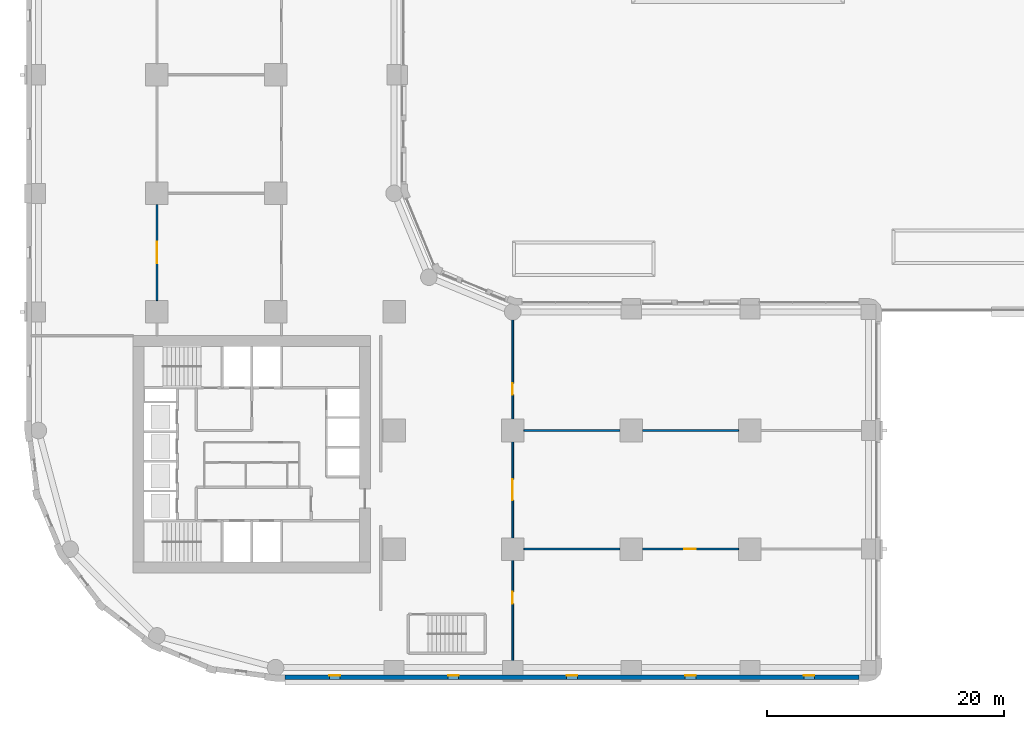
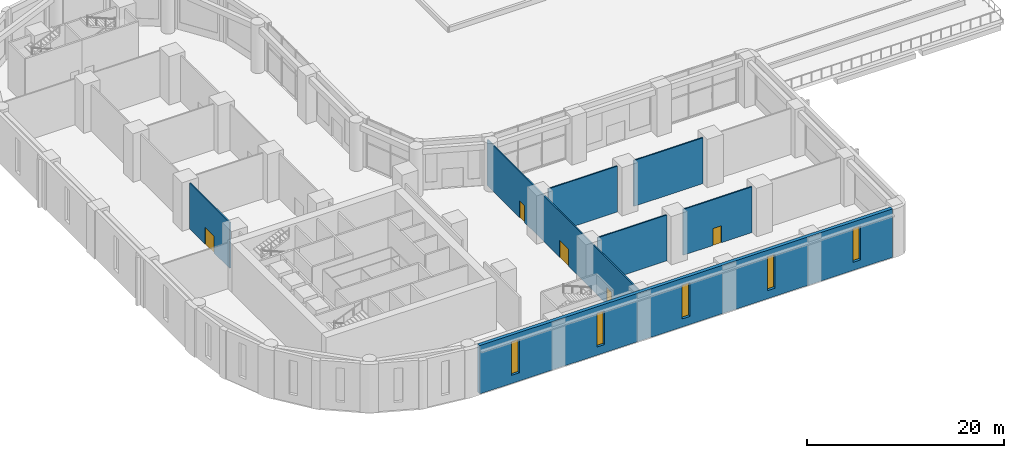
# One storey, part 15 of 28: 7 walls, 5 doors, 5 windows, 10 openings.
"""IFC4 building model written with IfcOpenShell, lengths in metres."""

import ifcopenshell
import ifcopenshell.guid

model = None  # the IFC model being written
_history = None  # IfcOwnerHistory: only IFC2X3 demands one
_inside = {}  # id of a spatial element -> (the spatial element, [elements in it])
_under = {}  # id of a project, library or spatial element -> (it, [spatial elements below it])
_declared = {}  # id of a project -> (the project, [libraries it declares])
_typed = {}  # id of a type object -> (the type object, [elements of that type])
_made_of = {}  # id of a material, layer set ... -> (it, [elements and type objects made of it])


def new_model(schema):
    """Start an empty IFC model of exactly this schema.

    Asked for "IFC4X3", IfcOpenShell would pick the latest addendum, in which some entities
    have other attributes; the version numbers below select the first issue.
    IFC2X3 requires an IfcOwnerHistory on every rooted entity: one is made here for all.
    """
    global model, _history
    if schema == "IFC4X3":
        model = ifcopenshell.file(schema_version=(4, 3, 0, 0))
    else:
        model = ifcopenshell.file(schema=schema)
    _inside.clear()
    _under.clear()
    _declared.clear()
    _typed.clear()
    _made_of.clear()
    _history = None
    if model.schema == "IFC2X3":
        org = make("IfcOrganization", Name="unknown")
        user = make(
            "IfcPersonAndOrganization",
            ThePerson=make("IfcPerson", FamilyName="unknown"),
            TheOrganization=org,
        )
        app = make(
            "IfcApplication",
            ApplicationDeveloper=org,
            Version="unknown",
            ApplicationFullName="unknown",
            ApplicationIdentifier="unknown",
        )
        _history = make(
            "IfcOwnerHistory",
            OwningUser=user,
            OwningApplication=app,
            ChangeAction="ADDED",
            CreationDate=0,
        )
    return model


def make(cls, **values):
    """One entity of the class cls with the attributes given. An attribute that is None is left unset."""
    return model.create_entity(
        cls, **{name: value for name, value in values.items() if value is not None}
    )


def rooted(cls, **values):
    """An entity with a GlobalId (a new one), such as an element, a storey or a relation."""
    return make(cls, GlobalId=ifcopenshell.guid.new(), OwnerHistory=_history, **values)


def si_unit(unit_type, name, prefix=None):
    """IfcSIUnit, for example si_unit("LENGTHUNIT", "METRE", prefix="MILLI")."""
    return make("IfcSIUnit", UnitType=unit_type, Prefix=prefix, Name=name)


def assignment(units):
    """IfcUnitAssignment: the units of a project."""
    return None if units is None else make("IfcUnitAssignment", Units=units)


def point(xyz):
    """IfcCartesianPoint."""
    return None if xyz is None else make("IfcCartesianPoint", Coordinates=xyz)


def direction(xyz):
    """IfcDirection."""
    return None if xyz is None else make("IfcDirection", DirectionRatios=xyz)


def frame(location, z_axis=None, x_axis=None):
    """IfcAxis2Placement3D, a coordinate frame: its origin and axes. An axis left out is left unset."""
    return make(
        "IfcAxis2Placement3D",
        Location=point(location),
        Axis=direction(z_axis),
        RefDirection=direction(x_axis),
    )


def frame_2d(location, x_axis=None):
    """IfcAxis2Placement2D, a coordinate frame in the plane: its origin and x axis."""
    return make(
        "IfcAxis2Placement2D", Location=point(location), RefDirection=direction(x_axis)
    )


def origin():
    """The frame at (0, 0, 0) with its axes left unset."""
    return frame((0.0, 0.0, 0.0))


def place(relative_to, where):
    """IfcLocalPlacement: puts the frame where relative to a parent placement (None: the world)."""
    return make(
        "IfcLocalPlacement", PlacementRelTo=relative_to, RelativePlacement=where
    )


def context(
    kind, dimensions, precision=None, world=None, true_north=None, identifier=None
):
    """IfcGeometricRepresentationContext, for example the 3D "Model" context."""
    return make(
        "IfcGeometricRepresentationContext",
        ContextIdentifier=identifier,
        ContextType=kind,
        CoordinateSpaceDimension=dimensions,
        Precision=precision,
        WorldCoordinateSystem=world,
        TrueNorth=true_north,
    )


def subcontext(parent, identifier, kind, view, scale=None):
    """IfcGeometricRepresentationSubContext, for example "Body" below "Model"."""
    return make(
        "IfcGeometricRepresentationSubContext",
        ContextIdentifier=identifier,
        ContextType=kind,
        ParentContext=parent,
        TargetScale=scale,
        TargetView=view,
    )


def project(units=None, contexts=None):
    """IfcProject with its units and contexts."""
    return rooted(
        "IfcProject",
        Name="project",
        RepresentationContexts=contexts,
        UnitsInContext=assignment(units),
    )


def spatial(cls, under=None, at=None, **own):
    """A site, building, storey or space (cls), placed at a placement, below another one or the project."""
    s = rooted(cls, ObjectPlacement=at, **own)
    if under is not None:
        _under.setdefault(under.id(), (under, []))[1].append(s)
    return s


def profile(cls, at=None, kind="AREA", **sizes):
    """A parametric profile (cls). Its sizes go by their IFC names, for example OverallWidth=200.0."""
    return make(cls, ProfileType=kind, Position=at, **sizes)


def rectangle(**sizes):
    """IfcRectangleProfileDef."""
    return profile("IfcRectangleProfileDef", **sizes)


def extrude(swept, where, along, depth):
    """IfcExtrudedAreaSolid: the profile swept, set in the frame where, extruded along a direction by depth."""
    return make(
        "IfcExtrudedAreaSolid",
        SweptArea=swept,
        Position=where,
        ExtrudedDirection=direction(along),
        Depth=depth,
    )


def shape(context_of_items, identifier, shape_type, items):
    """IfcShapeRepresentation: the items that make up one representation, for example the "Body"."""
    return make(
        "IfcShapeRepresentation",
        ContextOfItems=context_of_items,
        RepresentationIdentifier=identifier,
        RepresentationType=shape_type,
        Items=items,
    )


def material(Name=None, Category=None):
    """IfcMaterial."""
    return make("IfcMaterial", Name=Name, Category=Category)


def layer(
    of_material, thickness, ventilated=None, Name=None, Category=None, Priority=None
):
    """IfcMaterialLayer: one layer of a wall or slab, of a material (None: an air gap)."""
    return make(
        "IfcMaterialLayer",
        Material=of_material,
        LayerThickness=thickness,
        IsVentilated=ventilated,
        Name=Name,
        Category=Category,
        Priority=Priority,
    )


def layer_set(layers, Name=None):
    """IfcMaterialLayerSet."""
    return make("IfcMaterialLayerSet", MaterialLayers=layers, LayerSetName=Name)


def made_of(thing, what):
    """Note that an element or type object is made of a material, layer set ...; save() writes the relation."""
    if what is not None:
        _made_of.setdefault(what.id(), (what, []))[1].append(thing)
    return thing


def type_object(cls, material=None, **own):
    """A type object (cls), such as IfcWallType, which elements share."""
    return made_of(rooted(cls, **own), material)


def element(
    cls,
    number,
    at=None,
    inside=None,
    cuts=None,
    type_object=None,
    material=None,
    context=None,
    identifier="Body",
    shape_type=None,
    held_by="IfcProductDefinitionShape",
    body=None,
    shapes=None,
    **own,
):
    """One element of the class cls, such as IfcWall. Its Tag is "e" and its number.

    at: its placement. inside: the storey or other place that contains it. cuts: it is an
    opening in that element (IfcRelVoidsElement). A single representation is given by context,
    identifier, shape_type and body (its items); several are given by shapes. held_by: the class
    of the entity that holds the representations. save() writes the other relations.
    """
    e = rooted(cls, Tag="e%d" % number, ObjectPlacement=at, **own)
    if body is not None:
        shapes = [shape(context, identifier, shape_type, body)]
    if shapes is not None:
        e.Representation = make(held_by, Representations=shapes)
    if inside is not None:
        _inside.setdefault(inside.id(), (inside, []))[1].append(e)
    if cuts is not None:
        rooted(
            "IfcRelVoidsElement", RelatingBuildingElement=cuts, RelatedOpeningElement=e
        )
    if type_object is not None:
        _typed.setdefault(type_object.id(), (type_object, []))[1].append(e)
    return made_of(e, material)


def fill(opening, filler):
    """IfcRelFillsElement: the door or window that sits in an opening."""
    return rooted(
        "IfcRelFillsElement",
        RelatingOpeningElement=opening,
        RelatedBuildingElement=filler,
    )


def aggregate(whole, parts):
    """IfcRelAggregates: a whole, such as a stair, and the parts it consists of."""
    return rooted("IfcRelAggregates", RelatingObject=whole, RelatedObjects=parts)


def save(model, path):
    """Write the relations noted so far, then the file.

    IfcRelAggregates (storeys below a building ...), IfcRelContainedInSpatialStructure (elements
    in a storey), IfcRelDefinesByType, IfcRelAssociatesMaterial and IfcRelDeclares: one each for
    every whole, place, type object, material and project.
    """
    for whole, parts in _under.values():
        aggregate(whole, parts)
    for where, things in _inside.values():
        rooted(
            "IfcRelContainedInSpatialStructure",
            RelatedElements=things,
            RelatingStructure=where,
        )
    for kind, things in _typed.values():
        rooted("IfcRelDefinesByType", RelatedObjects=things, RelatingType=kind)
    for what, things in _made_of.values():
        rooted("IfcRelAssociatesMaterial", RelatedObjects=things, RelatingMaterial=what)
    for by, libraries in _declared.values():
        rooted("IfcRelDeclares", RelatingContext=by, RelatedDefinitions=libraries)
    model.write(path)


model = new_model("IFC4")

# Units and contexts
model_context = context("Model", 3, precision=1e-05, world=origin(), true_north=direction((0.0, 1.0)))
body_context = subcontext(model_context, "Body", "Model", "MODEL_VIEW")
ifc_project = project(units=[si_unit("LENGTHUNIT", "METRE"), si_unit("AREAUNIT", "SQUARE_METRE"), si_unit("VOLUMEUNIT", "CUBIC_METRE"), si_unit("PLANEANGLEUNIT", "RADIAN"), si_unit("MASSUNIT", "GRAM", prefix="KILO")], contexts=[model_context])

# Site, building, storey
site_placement = place(None, origin())
site = spatial("IfcSite", under=ifc_project, at=site_placement, CompositionType="ELEMENT")
building_placement = place(site_placement, origin())
building = spatial("IfcBuilding", under=site, at=building_placement, Name="Qaws Garden Tower", CompositionType="ELEMENT")
storey_placement = place(building_placement, frame((0.0, 0.0, 6.0)))
storey = spatial("IfcBuildingStorey", under=building, at=storey_placement, Name="L01", CompositionType="ELEMENT", Elevation=6.0)

# Wall, openings, doors
ifc_material_1 = material(Name="Gypsum board on steel S235 stud", Category="steel")
ifc_layer_1 = layer(ifc_material_1, 0.14990234375)
ifc_layer_set_1 = layer_set([ifc_layer_1], Name="Gypsum board on steel S235 stud")
wall_type_1 = type_object("IfcWallType", Name="Partition 150", PredefinedType="PARTITIONING", material=ifc_layer_set_1)
wall_1_placement = place(storey_placement, frame((40.0, -0.60009765625, 0.0), z_axis=(0.0, 0.0, 1.0), x_axis=(0.0, 1.0, 0.0)))
wall_1 = element("IfcWall", 1, at=wall_1_placement, inside=storey, type_object=wall_type_1, Name="Gallery wall", PredefinedType="PARTITIONING", context=body_context, shape_type="SweptSolid", body=[
    extrude(rectangle(XDim=31.2001953125, YDim=0.14990234375, at=frame_2d((15.60009765625, 0.0))), origin(), (0.0, 0.0, 1.0), 5.679931640625),
])
opening_1_placement = place(wall_1_placement, frame((14.699951171875, 0.0, 0.0)))
opening_1 = element("IfcOpeningElement", 2, at=opening_1_placement, cuts=wall_1, Name="Opening PD2-01", PredefinedType="OPENING", context=body_context, shape_type="SweptSolid", body=[
    extrude(rectangle(XDim=1.800048828125, YDim=2.10009765625, at=frame_2d((0.89990234375, 1.050048828125))), frame((0.0, 0.0849609375, 0.0), z_axis=(0.0, -1.0, 0.0), x_axis=(1.0, 0.0, 0.0)), (0.0, 0.0, 1.0), 0.169921875),
])
opening_2_placement = place(wall_1_placement, frame((6.0, 0.0, 0.0)))
opening_2 = element("IfcOpeningElement", 3, at=opening_2_placement, cuts=wall_1, Name="Opening PD1-01", PredefinedType="OPENING", context=body_context, shape_type="SweptSolid", body=[
    extrude(rectangle(XDim=1.0, YDim=2.10009765625, at=frame_2d((0.5, 1.050048828125))), frame((0.0, 0.0849609375, 0.0), z_axis=(0.0, -1.0, 0.0), x_axis=(1.0, 0.0, 0.0)), (0.0, 0.0, 1.0), 0.169921875),
])
opening_3_placement = place(wall_1_placement, frame((23.60009765625, 0.0, 0.0)))
opening_3 = element("IfcOpeningElement", 4, at=opening_3_placement, cuts=wall_1, Name="Opening PD1-02", PredefinedType="OPENING", context=body_context, shape_type="SweptSolid", body=[
    extrude(rectangle(XDim=1.0, YDim=2.10009765625, at=frame_2d((0.5, 1.050048828125))), frame((0.0, 0.0849609375, 0.0), z_axis=(0.0, -1.0, 0.0), x_axis=(1.0, 0.0, 0.0)), (0.0, 0.0, 1.0), 0.169921875),
])
ifc_material_2 = material(Name="Steel S235 framed door leaf", Category="steel")
door_type_1 = type_object("IfcDoorType", Name="Door D1 single 1000", OperationType="SINGLE_SWING_LEFT", PredefinedType="DOOR", material=ifc_material_2)
door_1_placement = place(opening_2_placement, origin())
door_1 = element("IfcDoor", 5, at=door_1_placement, inside=storey, type_object=door_type_1, Name="Kitchen door", OperationType="SINGLE_SWING_RIGHT", OverallHeight=2.10009765625, OverallWidth=1.0, PredefinedType="DOOR", context=body_context, shape_type="SweptSolid", body=[
    extrude(rectangle(XDim=1.0, YDim=2.10009765625, at=frame_2d((0.5, 1.050048828125))), frame((0.0, 0.02490234375, 0.0), z_axis=(0.0, -1.0, 0.0), x_axis=(1.0, 0.0, 0.0)), (0.0, 0.0, 1.0), 0.050048828125),
])
fill(opening_2, door_1)
door_2_placement = place(opening_3_placement, origin())
door_2 = element("IfcDoor", 6, at=door_2_placement, inside=storey, type_object=door_type_1, Name="Private dining door", OperationType="SINGLE_SWING_RIGHT", OverallHeight=2.10009765625, OverallWidth=1.0, PredefinedType="DOOR", context=body_context, shape_type="SweptSolid", body=[
    extrude(rectangle(XDim=1.0, YDim=2.10009765625, at=frame_2d((0.5, 1.050048828125))), frame((0.0, 0.02490234375, 0.0), z_axis=(0.0, -1.0, 0.0), x_axis=(1.0, 0.0, 0.0)), (0.0, 0.0, 1.0), 0.050048828125),
])
fill(opening_3, door_2)
ifc_material_3 = material(Name="Steel S235 framed door leaf", Category="steel")
door_type_2 = type_object("IfcDoorType", Name="Door D2 double 1800", OperationType="DOUBLE_DOOR_SINGLE_SWING", PredefinedType="DOOR", material=ifc_material_3)
door_3_placement = place(opening_1_placement, origin())
door_3 = element("IfcDoor", 7, at=door_3_placement, inside=storey, type_object=door_type_2, Name="Restaurant door", OperationType="DOUBLE_DOOR_SINGLE_SWING", OverallHeight=2.10009765625, OverallWidth=1.800048828125, PredefinedType="DOOR", context=body_context, shape_type="SweptSolid", body=[
    extrude(rectangle(XDim=1.800048828125, YDim=2.10009765625, at=frame_2d((0.89990234375, 1.050048828125))), frame((0.0, 0.02490234375, 0.0), z_axis=(0.0, -1.0, 0.0), x_axis=(1.0, 0.0, 0.0)), (0.0, 0.0, 1.0), 0.050048828125),
])
fill(opening_1, door_3)

# Wall
wall_2_placement = place(storey_placement, frame((40.949951171875, 10.0, 0.0), z_axis=(0.0, 0.0, 1.0), x_axis=(1.0, 0.0, 0.0)))
element("IfcWall", 8, at=wall_2_placement, inside=storey, type_object=wall_type_1, Name="Kitchen wall", PredefinedType="PARTITIONING", context=body_context, shape_type="SweptSolid", body=[
    extrude(rectangle(XDim=8.10009765625, YDim=0.14990234375, at=frame_2d((4.050048828125, 0.0))), origin(), (0.0, 0.0, 1.0), 5.679931640625),
])

# Wall, opening, door
wall_3_placement = place(storey_placement, frame((50.949951171875, 10.0, 0.0), z_axis=(0.0, 0.0, 1.0), x_axis=(1.0, 0.0, 0.0)))
wall_3 = element("IfcWall", 9, at=wall_3_placement, inside=storey, type_object=wall_type_1, Name="Kitchen wall", PredefinedType="PARTITIONING", context=body_context, shape_type="SweptSolid", body=[
    extrude(rectangle(XDim=8.10009765625, YDim=0.14990234375, at=frame_2d((4.050048828125, 0.0))), origin(), (0.0, 0.0, 1.0), 5.679931640625),
])
opening_4_placement = place(wall_3_placement, frame((3.5, 0.0, 0.0)))
opening_4 = element("IfcOpeningElement", 10, at=opening_4_placement, cuts=wall_3, Name="Opening PD1-03", PredefinedType="OPENING", context=body_context, shape_type="SweptSolid", body=[
    extrude(rectangle(XDim=1.0, YDim=2.10009765625, at=frame_2d((0.5, 1.050048828125))), frame((0.0, 0.0849609375, 0.0), z_axis=(0.0, -1.0, 0.0), x_axis=(1.0, 0.0, 0.0)), (0.0, 0.0, 1.0), 0.169921875),
])
door_4_placement = place(opening_4_placement, origin())
door_4 = element("IfcDoor", 11, at=door_4_placement, inside=storey, type_object=door_type_1, Name="Kitchen service door", OperationType="SINGLE_SWING_LEFT", OverallHeight=2.10009765625, OverallWidth=1.0, PredefinedType="DOOR", context=body_context, shape_type="SweptSolid", body=[
    extrude(rectangle(XDim=1.0, YDim=2.10009765625, at=frame_2d((0.5, 1.050048828125))), frame((0.0, 0.02490234375, 0.0), z_axis=(0.0, -1.0, 0.0), x_axis=(1.0, 0.0, 0.0)), (0.0, 0.0, 1.0), 0.050048828125),
])
fill(opening_4, door_4)

# Walls
for number, where, z_axis, x_axis, name in (
    (12, (40.949951171875, 20.0, 0.0), (0.0, 0.0, 1.0), (1.0, 0.0, 0.0), "Dining partition"),
    (13, (50.949951171875, 20.0, 0.0), (0.0, 0.0, 1.0), (1.0, 0.0, 0.0), "Dining partition"),
):
    element("IfcWall", number, at=place(storey_placement, frame(where, z_axis=z_axis, x_axis=x_axis)), inside=storey, type_object=wall_type_1, Name=name, PredefinedType="PARTITIONING", context=body_context, shape_type="SweptSolid", body=[
        extrude(rectangle(XDim=8.10009765625, YDim=0.14990234375, at=frame_2d((4.050048828125, 0.0))), origin(), (0.0, 0.0, 1.0), 5.679931640625),
    ])

# Wall, opening, door
wall_4_placement = place(storey_placement, frame((10.0, 30.949951171875, 0.0), z_axis=(0.0, 0.0, 1.0), x_axis=(0.0, 1.0, 0.0)))
wall_4 = element("IfcWall", 14, at=wall_4_placement, inside=storey, type_object=wall_type_1, Name="Conference wall", PredefinedType="PARTITIONING", context=body_context, shape_type="SweptSolid", body=[
    extrude(rectangle(XDim=8.10009765625, YDim=0.14990234375, at=frame_2d((4.050048828125, 0.0))), origin(), (0.0, 0.0, 1.0), 5.679931640625),
])
opening_5_placement = place(wall_4_placement, frame((3.14990234375, 0.0, 0.0)))
opening_5 = element("IfcOpeningElement", 15, at=opening_5_placement, cuts=wall_4, Name="Opening PD2-02", PredefinedType="OPENING", context=body_context, shape_type="SweptSolid", body=[
    extrude(rectangle(XDim=1.800048828125, YDim=2.10009765625, at=frame_2d((0.89990234375, 1.050048828125))), frame((0.0, 0.0849609375, 0.0), z_axis=(0.0, -1.0, 0.0), x_axis=(1.0, 0.0, 0.0)), (0.0, 0.0, 1.0), 0.169921875),
])
door_5_placement = place(opening_5_placement, origin())
door_5 = element("IfcDoor", 16, at=door_5_placement, inside=storey, type_object=door_type_2, Name="Conference door", OperationType="DOUBLE_DOOR_SINGLE_SWING", OverallHeight=2.10009765625, OverallWidth=1.800048828125, PredefinedType="DOOR", context=body_context, shape_type="SweptSolid", body=[
    extrude(rectangle(XDim=1.800048828125, YDim=2.10009765625, at=frame_2d((0.89990234375, 1.050048828125))), frame((0.0, 0.02490234375, 0.0), z_axis=(0.0, -1.0, 0.0), x_axis=(1.0, 0.0, 0.0)), (0.0, 0.0, 1.0), 0.050048828125),
])
fill(opening_5, door_5)

# Wall, openings, windows
ifc_material_4 = material(Name="Limestone ashlar masonry", Category="masonry")
ifc_layer_2 = layer(ifc_material_4, 0.39990234375)
ifc_layer_set_2 = layer_set([ifc_layer_2], Name="Limestone ashlar masonry")
wall_type_2 = type_object("IfcWallType", Name="Stone infill wall 400", PredefinedType="SOLIDWALL", material=ifc_layer_set_2)
wall_5_placement = place(storey_placement, frame((20.800048828125, -0.800048828125, 0.0), z_axis=(0.0, 0.0, 1.0), x_axis=(1.0, 0.0, 0.0)))
wall_5 = element("IfcWall", 17, at=wall_5_placement, inside=storey, type_object=wall_type_2, Name="E-L01-infill-00", PredefinedType="SOLIDWALL", context=body_context, shape_type="SweptSolid", body=[
    extrude(rectangle(XDim=48.39990234375, YDim=0.39990234375, at=frame_2d((24.199951171875, 0.0))), origin(), (0.0, 0.0, 1.0), 6.0),
])
opening_6_placement = place(wall_5_placement, frame((3.75, 0.0, 1.0)))
opening_6 = element("IfcOpeningElement", 18, at=opening_6_placement, cuts=wall_5, Name="Opening W11", PredefinedType="OPENING", context=body_context, shape_type="SweptSolid", body=[
    extrude(rectangle(XDim=0.89990234375, YDim=4.199951171875, at=frame_2d((0.449951171875, 2.10009765625))), frame((0.0, 0.2099609375, 0.0), z_axis=(0.0, -1.0, 0.0), x_axis=(1.0, 0.0, 0.0)), (0.0, 0.0, 1.0), 0.419921875),
])
opening_7_placement = place(wall_5_placement, frame((13.75, 0.0, 1.0)))
opening_7 = element("IfcOpeningElement", 19, at=opening_7_placement, cuts=wall_5, Name="Opening W11", PredefinedType="OPENING", context=body_context, shape_type="SweptSolid", body=[
    extrude(rectangle(XDim=0.89990234375, YDim=4.199951171875, at=frame_2d((0.449951171875, 2.10009765625))), frame((0.0, 0.2099609375, 0.0), z_axis=(0.0, -1.0, 0.0), x_axis=(1.0, 0.0, 0.0)), (0.0, 0.0, 1.0), 0.419921875),
])
opening_8_placement = place(wall_5_placement, frame((23.75, 0.0, 1.0)))
opening_8 = element("IfcOpeningElement", 20, at=opening_8_placement, cuts=wall_5, Name="Opening W11", PredefinedType="OPENING", context=body_context, shape_type="SweptSolid", body=[
    extrude(rectangle(XDim=0.89990234375, YDim=4.199951171875, at=frame_2d((0.449951171875, 2.10009765625))), frame((0.0, 0.2099609375, 0.0), z_axis=(0.0, -1.0, 0.0), x_axis=(1.0, 0.0, 0.0)), (0.0, 0.0, 1.0), 0.419921875),
])
opening_9_placement = place(wall_5_placement, frame((33.75, 0.0, 1.0)))
opening_9 = element("IfcOpeningElement", 21, at=opening_9_placement, cuts=wall_5, Name="Opening W11", PredefinedType="OPENING", context=body_context, shape_type="SweptSolid", body=[
    extrude(rectangle(XDim=0.89990234375, YDim=4.199951171875, at=frame_2d((0.449951171875, 2.10009765625))), frame((0.0, 0.2099609375, 0.0), z_axis=(0.0, -1.0, 0.0), x_axis=(1.0, 0.0, 0.0)), (0.0, 0.0, 1.0), 0.419921875),
])
opening_10_placement = place(wall_5_placement, frame((43.75, 0.0, 1.0)))
opening_10 = element("IfcOpeningElement", 22, at=opening_10_placement, cuts=wall_5, Name="Opening W11", PredefinedType="OPENING", context=body_context, shape_type="SweptSolid", body=[
    extrude(rectangle(XDim=0.89990234375, YDim=4.199951171875, at=frame_2d((0.449951171875, 2.10009765625))), frame((0.0, 0.2099609375, 0.0), z_axis=(0.0, -1.0, 0.0), x_axis=(1.0, 0.0, 0.0)), (0.0, 0.0, 1.0), 0.419921875),
])
ifc_material_5 = material(Name="Aluminium framed window, clear glazing", Category="aluminium")
window_type = type_object("IfcWindowType", Name="Slit window 900 x 4200", PartitioningType="SINGLE_PANEL", PredefinedType="WINDOW", material=ifc_material_5)
window_1_placement = place(opening_6_placement, origin())
window_1 = element("IfcWindow", 23, at=window_1_placement, inside=storey, type_object=window_type, Name="E-L01-window-00-0", OverallHeight=4.199951171875, OverallWidth=0.89990234375, PartitioningType="SINGLE_PANEL", PredefinedType="WINDOW", context=body_context, shape_type="SweptSolid", body=[
    extrude(rectangle(XDim=0.89990234375, YDim=4.199951171875, at=frame_2d((0.449951171875, 2.10009765625))), frame((0.0, 0.159912109375, 0.0), z_axis=(0.0, -1.0, 0.0), x_axis=(1.0, 0.0, 0.0)), (0.0, 0.0, 1.0), 0.06005859375),
])
fill(opening_6, window_1)
window_2_placement = place(opening_7_placement, origin())
window_2 = element("IfcWindow", 24, at=window_2_placement, inside=storey, type_object=window_type, Name="E-L01-window-01-0", OverallHeight=4.199951171875, OverallWidth=0.89990234375, PartitioningType="SINGLE_PANEL", PredefinedType="WINDOW", context=body_context, shape_type="SweptSolid", body=[
    extrude(rectangle(XDim=0.89990234375, YDim=4.199951171875, at=frame_2d((0.449951171875, 2.10009765625))), frame((0.0, 0.159912109375, 0.0), z_axis=(0.0, -1.0, 0.0), x_axis=(1.0, 0.0, 0.0)), (0.0, 0.0, 1.0), 0.06005859375),
])
fill(opening_7, window_2)
window_3_placement = place(opening_8_placement, origin())
window_3 = element("IfcWindow", 25, at=window_3_placement, inside=storey, type_object=window_type, Name="E-L01-window-02-0", OverallHeight=4.199951171875, OverallWidth=0.89990234375, PartitioningType="SINGLE_PANEL", PredefinedType="WINDOW", context=body_context, shape_type="SweptSolid", body=[
    extrude(rectangle(XDim=0.89990234375, YDim=4.199951171875, at=frame_2d((0.449951171875, 2.10009765625))), frame((0.0, 0.159912109375, 0.0), z_axis=(0.0, -1.0, 0.0), x_axis=(1.0, 0.0, 0.0)), (0.0, 0.0, 1.0), 0.06005859375),
])
fill(opening_8, window_3)
window_4_placement = place(opening_9_placement, origin())
window_4 = element("IfcWindow", 26, at=window_4_placement, inside=storey, type_object=window_type, Name="E-L01-window-03-0", OverallHeight=4.199951171875, OverallWidth=0.89990234375, PartitioningType="SINGLE_PANEL", PredefinedType="WINDOW", context=body_context, shape_type="SweptSolid", body=[
    extrude(rectangle(XDim=0.89990234375, YDim=4.199951171875, at=frame_2d((0.449951171875, 2.10009765625))), frame((0.0, 0.159912109375, 0.0), z_axis=(0.0, -1.0, 0.0), x_axis=(1.0, 0.0, 0.0)), (0.0, 0.0, 1.0), 0.06005859375),
])
fill(opening_9, window_4)
window_5_placement = place(opening_10_placement, origin())
window_5 = element("IfcWindow", 27, at=window_5_placement, inside=storey, type_object=window_type, Name="E-L01-window-04-0", OverallHeight=4.199951171875, OverallWidth=0.89990234375, PartitioningType="SINGLE_PANEL", PredefinedType="WINDOW", context=body_context, shape_type="SweptSolid", body=[
    extrude(rectangle(XDim=0.89990234375, YDim=4.199951171875, at=frame_2d((0.449951171875, 2.10009765625))), frame((0.0, 0.159912109375, 0.0), z_axis=(0.0, -1.0, 0.0), x_axis=(1.0, 0.0, 0.0)), (0.0, 0.0, 1.0), 0.06005859375),
])
fill(opening_10, window_5)

save(model, "model.ifc")
